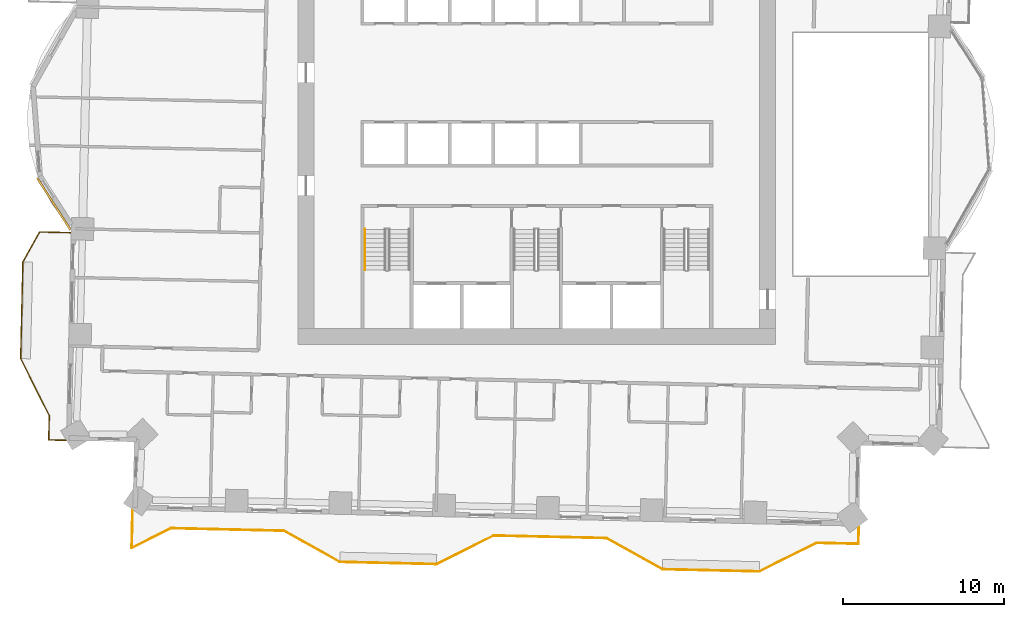
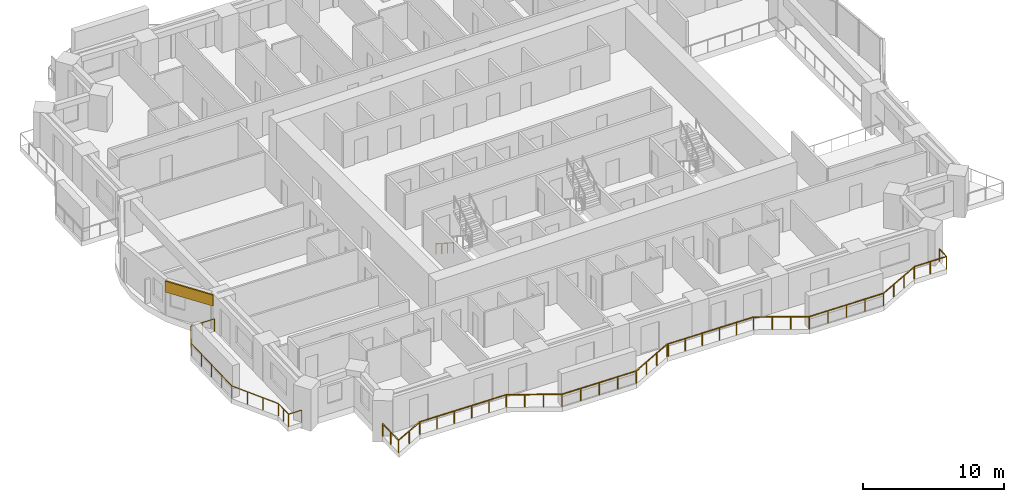
# One storey, part 13 of 16: 3 railings, 1 covering.
"""IFC4 building model written with IfcOpenShell, lengths in metres."""

from ifc_helpers import new_model, si_unit, direction, frame, frame_2d, origin, origin_2d, place, context, subcontext, project, spatial, rectangle, circle, extrude, material, layer, layer_set, type_object, element, save


model = new_model("IFC4")

# Units and contexts
model_context = context("Model", 3, precision=1e-05, world=origin(), true_north=direction((0.0, 1.0)))
body_context = subcontext(model_context, "Body", "Model", "MODEL_VIEW")
ifc_project = project(units=[si_unit("LENGTHUNIT", "METRE"), si_unit("AREAUNIT", "SQUARE_METRE"), si_unit("VOLUMEUNIT", "CUBIC_METRE"), si_unit("PLANEANGLEUNIT", "RADIAN"), si_unit("MASSUNIT", "GRAM", prefix="KILO")], contexts=[model_context])

# Site, building, storey
site_placement = place(None, origin())
site = spatial("IfcSite", under=ifc_project, at=site_placement, CompositionType="ELEMENT")
building_placement = place(site_placement, origin())
building = spatial("IfcBuilding", under=site, at=building_placement, Name="Mangrove Gate Tower", CompositionType="ELEMENT")
storey_placement = place(building_placement, frame((0.0, 0.0, 101.89990234375)))
storey = spatial("IfcBuildingStorey", under=building, at=storey_placement, Name="L25", CompositionType="ELEMENT", Elevation=101.89990234375)

# Railings
ifc_material_1 = material(Name="Stainless steel grade 316 with laminated glass infill", Category="steel")
railing_type_1 = type_object("IfcRailingType", Name="Balcony guard 1100", PredefinedType="GUARDRAIL", material=ifc_material_1)
railing_1_placement = place(storey_placement, frame((-28.89892578125, -4.85791015625, 0.0)))
element("IfcRailing", 1, at=railing_1_placement, inside=storey, type_object=railing_type_1, Name="GUARD L25 W2", PredefinedType="GUARDRAIL", context=body_context, shape_type="SweptSolid", body=[
    extrude(rectangle(XDim=0.048095703125, YDim=0.048095703125, at=origin_2d()), frame((0.0, 0.0, 1.076171875), z_axis=(-0.999737613728, 0.02290641172, 0.0), x_axis=(-0.02290641172, -0.999737613728, 0.0)), (0.0, 0.0, 1.0), 1.91845703125),
    extrude(rectangle(XDim=0.048095703125, YDim=0.048095703125, at=origin_2d()), frame((-1.91796875, 0.0439453125, 1.076171875), z_axis=(-0.487186514768, -0.873297944477, 0.0), x_axis=(0.873297944477, -0.487186514768, 0.0)), (0.0, 0.0, 1.0), 2.120849609375),
    extrude(rectangle(XDim=0.048095703125, YDim=0.048095703125, at=origin_2d()), frame((-2.951171875, -1.80810546875, 1.076171875), z_axis=(-0.022828630714, -0.999739392852, 0.0), x_axis=(0.999739392852, -0.022828630714, 0.0)), (0.0, 0.0, 1.0), 5.99951171875),
    extrude(rectangle(XDim=0.048095703125, YDim=0.048095703125, at=origin_2d()), frame((-3.088134765625, -7.80615234375, 1.076171875), z_axis=(0.447312255532, -0.894377854182, 0.0), x_axis=(0.894377854182, 0.447312255532, 0.0)), (0.0, 0.0, 1.0), 3.959228515625),
    extrude(rectangle(XDim=0.048095703125, YDim=0.048095703125, at=origin_2d()), frame((-1.317138671875, -11.34716796875, 1.076171875), z_axis=(-0.022617910375, -0.999744182344, 0.0), x_axis=(0.999744182344, -0.022617910375, 0.0)), (0.0, 0.0, 1.0), 1.50048828125),
    extrude(rectangle(XDim=0.048095703125, YDim=0.048095703125, at=origin_2d()), frame((-1.35107421875, -12.84716796875, 1.076171875), z_axis=(0.999744919731, -0.022585293253, 0.0), x_axis=(0.022585293253, 0.999744919731, 0.0)), (0.0, 0.0, 1.0), 1.059326171875),
    extrude(rectangle(XDim=0.0419921875, YDim=0.0419921875, at=origin_2d()), origin(), (0.0, 0.0, 1.0), 1.052001953125),
    extrude(rectangle(XDim=0.0419921875, YDim=0.0419921875, at=origin_2d()), frame((-0.958984375, 0.02197265625, 0.0)), (0.0, 0.0, 1.0), 1.052001953125),
    extrude(rectangle(XDim=0.0419921875, YDim=0.0419921875, at=origin_2d()), frame((-1.91796875, 0.0439453125, 0.0)), (0.0, 0.0, 1.0), 1.052001953125),
    extrude(rectangle(XDim=0.0419921875, YDim=0.0419921875, at=origin_2d()), frame((-2.4345703125, -0.882080078125, 0.0)), (0.0, 0.0, 1.0), 1.052001953125),
    extrude(rectangle(XDim=0.0419921875, YDim=0.0419921875, at=origin_2d()), frame((-2.951171875, -1.80810546875, 0.0)), (0.0, 0.0, 1.0), 1.052001953125),
    extrude(rectangle(XDim=0.0419921875, YDim=0.0419921875, at=origin_2d()), frame((-2.9853515625, -3.3076171875, 0.0)), (0.0, 0.0, 1.0), 1.052001953125),
    extrude(rectangle(XDim=0.0419921875, YDim=0.0419921875, at=origin_2d()), frame((-3.01953125, -4.80712890625, 0.0)), (0.0, 0.0, 1.0), 1.052001953125),
    extrude(rectangle(XDim=0.0419921875, YDim=0.0419921875, at=origin_2d()), frame((-3.053955078125, -6.306640625, 0.0)), (0.0, 0.0, 1.0), 1.052001953125),
    extrude(rectangle(XDim=0.0419921875, YDim=0.0419921875, at=origin_2d()), frame((-3.088134765625, -7.80615234375, 0.0)), (0.0, 0.0, 1.0), 1.052001953125),
    extrude(rectangle(XDim=0.0419921875, YDim=0.0419921875, at=origin_2d()), frame((-2.497802734375, -8.986572265625, 0.0)), (0.0, 0.0, 1.0), 1.052001953125),
    extrude(rectangle(XDim=0.0419921875, YDim=0.0419921875, at=origin_2d()), frame((-1.907470703125, -10.166748046875, 0.0)), (0.0, 0.0, 1.0), 1.052001953125),
    extrude(rectangle(XDim=0.0419921875, YDim=0.0419921875, at=origin_2d()), frame((-1.317138671875, -11.34716796875, 0.0)), (0.0, 0.0, 1.0), 1.052001953125),
    extrude(rectangle(XDim=0.0419921875, YDim=0.0419921875, at=origin_2d()), frame((-1.333984375, -12.09716796875, 0.0)), (0.0, 0.0, 1.0), 1.052001953125),
    extrude(rectangle(XDim=0.0419921875, YDim=0.0419921875, at=origin_2d()), frame((-1.35107421875, -12.84716796875, 0.0)), (0.0, 0.0, 1.0), 1.052001953125),
    extrude(rectangle(XDim=0.0419921875, YDim=0.0419921875, at=origin_2d()), frame((-0.2919921875, -12.87109375, 0.0)), (0.0, 0.0, 1.0), 1.052001953125),
])
railing_2_placement = place(storey_placement, frame((-25.048095703125, -22.06396484375, 0.0)))
element("IfcRailing", 2, at=railing_2_placement, inside=storey, type_object=railing_type_1, Name="GUARD L25 S1", PredefinedType="GUARDRAIL", context=body_context, shape_type="SweptSolid", body=[
    extrude(rectangle(XDim=0.048095703125, YDim=0.048095703125, at=origin_2d()), frame((0.0, 0.0, 1.076171875), z_axis=(-0.022730923236, -0.999741619184, 0.0), x_axis=(0.999741619184, -0.022730923236, 0.0)), (0.0, 0.0, 1.0), 2.33056640625),
    extrude(rectangle(XDim=0.048095703125, YDim=0.048095703125, at=origin_2d()), frame((-0.052978515625, -2.330078125, 1.076171875), z_axis=(0.894427191, 0.4472135955, 0.0), x_axis=(-0.4472135955, 0.894427191, 0.0)), (0.0, 0.0, 1.0), 2.71923828125),
    extrude(rectangle(XDim=0.048095703125, YDim=0.048095703125, at=origin_2d()), frame((2.379150390625, -1.114013671875, 1.076171875), z_axis=(0.999742267452, -0.022702393474, 0.0), x_axis=(0.022702393474, 0.999742267452, 0.0)), (0.0, 0.0, 1.0), 7.000732421875),
    extrude(rectangle(XDim=0.048095703125, YDim=0.048095703125, at=origin_2d()), frame((9.378173828125, -1.27294921875, 1.076171875), z_axis=(0.873230657876, -0.487307108654, 0.0), x_axis=(0.487307108654, 0.873230657876, 0.0)), (0.0, 0.0, 1.0), 3.958984375),
    extrude(rectangle(XDim=0.048095703125, YDim=0.048095703125, at=origin_2d()), frame((12.835205078125, -3.2021484375, 1.076171875), z_axis=(0.999743073592, -0.022666865795, 0.0), x_axis=(0.022666865795, 0.999743073592, 0.0)), (0.0, 0.0, 1.0), 5.999267578125),
    extrude(rectangle(XDim=0.048095703125, YDim=0.048095703125, at=origin_2d()), frame((18.8330078125, -3.338134765625, 1.076171875), z_axis=(0.894476522376, 0.447114919141, 0.0), x_axis=(-0.447114919141, 0.894476522376, 0.0)), (0.0, 0.0, 1.0), 3.958740234375),
    extrude(rectangle(XDim=0.048095703125, YDim=0.048095703125, at=origin_2d()), frame((22.3740234375, -1.568115234375, 1.076171875), z_axis=(0.999809691461, -0.019508481785, 0.0), x_axis=(0.019508481785, 0.999809691461, 0.0)), (0.0, 0.0, 1.0), 0.10009765625),
    extrude(rectangle(XDim=0.048095703125, YDim=0.048095703125, at=origin_2d()), frame((22.47412109375, -1.570068359375, 1.076171875), z_axis=(0.999741140915, -0.022751948524, 0.0), x_axis=(0.022751948524, 0.999741140915, 0.0)), (0.0, 0.0, 1.0), 6.899658203125),
    extrude(rectangle(XDim=0.048095703125, YDim=0.048095703125, at=origin_2d()), frame((29.3720703125, -1.72705078125, 1.076171875), z_axis=(0.873315448515, -0.487155136876, 0.0), x_axis=(0.487155136876, 0.873315448515, 0.0)), (0.0, 0.0, 1.0), 3.959716796875),
    extrude(rectangle(XDim=0.048095703125, YDim=0.048095703125, at=origin_2d()), frame((32.830078125, -3.656005859375, 1.076171875), z_axis=(0.999743094499, -0.022665943652, 0.0), x_axis=(0.022665943652, 0.999743094499, 0.0)), (0.0, 0.0, 1.0), 5.99951171875),
    extrude(rectangle(XDim=0.048095703125, YDim=0.048095703125, at=origin_2d()), frame((38.828125, -3.7919921875, 1.076171875), z_axis=(0.894476522376, 0.447114919141, 0.0), x_axis=(-0.447114919141, 0.894476522376, 0.0)), (0.0, 0.0, 1.0), 3.958740234375),
    extrude(rectangle(XDim=0.048095703125, YDim=0.048095703125, at=origin_2d()), frame((42.369140625, -2.02197265625, 1.076171875), z_axis=(0.999742512816, -0.022691585828, 0.0), x_axis=(0.022691585828, 0.999742512816, 0.0)), (0.0, 0.0, 1.0), 2.603759765625),
    extrude(rectangle(XDim=0.048095703125, YDim=0.048095703125, at=origin_2d()), frame((44.97216796875, -2.0810546875, 1.076171875), z_axis=(0.022564497502, 0.999745389313, 0.0), x_axis=(-0.999745389313, 0.022564497502, 0.0)), (0.0, 0.0, 1.0), 1.060302734375),
    extrude(rectangle(XDim=0.0419921875, YDim=0.0419921875, at=origin_2d()), origin(), (0.0, 0.0, 1.0), 1.052001953125),
    extrude(rectangle(XDim=0.0419921875, YDim=0.0419921875, at=origin_2d()), frame((-0.0263671875, -1.1650390625, 0.0)), (0.0, 0.0, 1.0), 1.052001953125),
    extrude(rectangle(XDim=0.0419921875, YDim=0.0419921875, at=origin_2d()), frame((-0.052978515625, -2.330078125, 0.0)), (0.0, 0.0, 1.0), 1.052001953125),
    extrude(rectangle(XDim=0.0419921875, YDim=0.0419921875, at=origin_2d()), frame((1.1630859375, -1.72216796875, 0.0)), (0.0, 0.0, 1.0), 1.052001953125),
    extrude(rectangle(XDim=0.0419921875, YDim=0.0419921875, at=origin_2d()), frame((2.379150390625, -1.114013671875, 0.0)), (0.0, 0.0, 1.0), 1.052001953125),
    extrude(rectangle(XDim=0.0419921875, YDim=0.0419921875, at=origin_2d()), frame((3.779052734375, -1.145751953125, 0.0)), (0.0, 0.0, 1.0), 1.052001953125),
    extrude(rectangle(XDim=0.0419921875, YDim=0.0419921875, at=origin_2d()), frame((5.1787109375, -1.177490234375, 0.0)), (0.0, 0.0, 1.0), 1.052001953125),
    extrude(rectangle(XDim=0.0419921875, YDim=0.0419921875, at=origin_2d()), frame((6.57861328125, -1.20947265625, 0.0)), (0.0, 0.0, 1.0), 1.052001953125),
    extrude(rectangle(XDim=0.0419921875, YDim=0.0419921875, at=origin_2d()), frame((7.978271484375, -1.2412109375, 0.0)), (0.0, 0.0, 1.0), 1.052001953125),
    extrude(rectangle(XDim=0.0419921875, YDim=0.0419921875, at=origin_2d()), frame((9.378173828125, -1.27294921875, 0.0)), (0.0, 0.0, 1.0), 1.052001953125),
    extrude(rectangle(XDim=0.0419921875, YDim=0.0419921875, at=origin_2d()), frame((10.530517578125, -1.916015625, 0.0)), (0.0, 0.0, 1.0), 1.052001953125),
    extrude(rectangle(XDim=0.0419921875, YDim=0.0419921875, at=origin_2d()), frame((11.682861328125, -2.55908203125, 0.0)), (0.0, 0.0, 1.0), 1.052001953125),
    extrude(rectangle(XDim=0.0419921875, YDim=0.0419921875, at=origin_2d()), frame((12.835205078125, -3.2021484375, 0.0)), (0.0, 0.0, 1.0), 1.052001953125),
    extrude(rectangle(XDim=0.0419921875, YDim=0.0419921875, at=origin_2d()), frame((14.334716796875, -3.236083984375, 0.0)), (0.0, 0.0, 1.0), 1.052001953125),
    extrude(rectangle(XDim=0.0419921875, YDim=0.0419921875, at=origin_2d()), frame((15.833984375, -3.27001953125, 0.0)), (0.0, 0.0, 1.0), 1.052001953125),
    extrude(rectangle(XDim=0.0419921875, YDim=0.0419921875, at=origin_2d()), frame((17.33349609375, -3.30419921875, 0.0)), (0.0, 0.0, 1.0), 1.052001953125),
    extrude(rectangle(XDim=0.0419921875, YDim=0.0419921875, at=origin_2d()), frame((18.8330078125, -3.338134765625, 0.0)), (0.0, 0.0, 1.0), 1.052001953125),
    extrude(rectangle(XDim=0.0419921875, YDim=0.0419921875, at=origin_2d()), frame((20.013427734375, -2.748046875, 0.0)), (0.0, 0.0, 1.0), 1.052001953125),
    extrude(rectangle(XDim=0.0419921875, YDim=0.0419921875, at=origin_2d()), frame((21.193603515625, -2.158203125, 0.0)), (0.0, 0.0, 1.0), 1.052001953125),
    extrude(rectangle(XDim=0.0419921875, YDim=0.0419921875, at=origin_2d()), frame((22.3740234375, -1.568115234375, 0.0)), (0.0, 0.0, 1.0), 1.052001953125),
    extrude(rectangle(XDim=0.0419921875, YDim=0.0419921875, at=origin_2d()), frame((22.47412109375, -1.570068359375, 0.0)), (0.0, 0.0, 1.0), 1.052001953125),
    extrude(rectangle(XDim=0.0419921875, YDim=0.0419921875, at=origin_2d()), frame((23.853759765625, -1.6015625, 0.0)), (0.0, 0.0, 1.0), 1.052001953125),
    extrude(rectangle(XDim=0.0419921875, YDim=0.0419921875, at=origin_2d()), frame((25.2333984375, -1.6328125, 0.0)), (0.0, 0.0, 1.0), 1.052001953125),
    extrude(rectangle(XDim=0.0419921875, YDim=0.0419921875, at=origin_2d()), frame((26.61279296875, -1.664306640625, 0.0)), (0.0, 0.0, 1.0), 1.052001953125),
    extrude(rectangle(XDim=0.0419921875, YDim=0.0419921875, at=origin_2d()), frame((27.992431640625, -1.695556640625, 0.0)), (0.0, 0.0, 1.0), 1.052001953125),
    extrude(rectangle(XDim=0.0419921875, YDim=0.0419921875, at=origin_2d()), frame((29.3720703125, -1.72705078125, 0.0)), (0.0, 0.0, 1.0), 1.052001953125),
    extrude(rectangle(XDim=0.0419921875, YDim=0.0419921875, at=origin_2d()), frame((30.524658203125, -2.3701171875, 0.0)), (0.0, 0.0, 1.0), 1.052001953125),
    extrude(rectangle(XDim=0.0419921875, YDim=0.0419921875, at=origin_2d()), frame((31.677490234375, -3.012939453125, 0.0)), (0.0, 0.0, 1.0), 1.052001953125),
    extrude(rectangle(XDim=0.0419921875, YDim=0.0419921875, at=origin_2d()), frame((32.830078125, -3.656005859375, 0.0)), (0.0, 0.0, 1.0), 1.052001953125),
    extrude(rectangle(XDim=0.0419921875, YDim=0.0419921875, at=origin_2d()), frame((34.32958984375, -3.68994140625, 0.0)), (0.0, 0.0, 1.0), 1.052001953125),
    extrude(rectangle(XDim=0.0419921875, YDim=0.0419921875, at=origin_2d()), frame((35.8291015625, -3.72412109375, 0.0)), (0.0, 0.0, 1.0), 1.052001953125),
    extrude(rectangle(XDim=0.0419921875, YDim=0.0419921875, at=origin_2d()), frame((37.32861328125, -3.758056640625, 0.0)), (0.0, 0.0, 1.0), 1.052001953125),
    extrude(rectangle(XDim=0.0419921875, YDim=0.0419921875, at=origin_2d()), frame((38.828125, -3.7919921875, 0.0)), (0.0, 0.0, 1.0), 1.052001953125),
    extrude(rectangle(XDim=0.0419921875, YDim=0.0419921875, at=origin_2d()), frame((40.008544921875, -3.201904296875, 0.0)), (0.0, 0.0, 1.0), 1.052001953125),
    extrude(rectangle(XDim=0.0419921875, YDim=0.0419921875, at=origin_2d()), frame((41.188720703125, -2.612060546875, 0.0)), (0.0, 0.0, 1.0), 1.052001953125),
    extrude(rectangle(XDim=0.0419921875, YDim=0.0419921875, at=origin_2d()), frame((42.369140625, -2.02197265625, 0.0)), (0.0, 0.0, 1.0), 1.052001953125),
    extrude(rectangle(XDim=0.0419921875, YDim=0.0419921875, at=origin_2d()), frame((43.670654296875, -2.051513671875, 0.0)), (0.0, 0.0, 1.0), 1.052001953125),
    extrude(rectangle(XDim=0.0419921875, YDim=0.0419921875, at=origin_2d()), frame((44.97216796875, -2.0810546875, 0.0)), (0.0, 0.0, 1.0), 1.052001953125),
    extrude(rectangle(XDim=0.0419921875, YDim=0.0419921875, at=origin_2d()), frame((44.99609375, -1.02099609375, 0.0)), (0.0, 0.0, 1.0), 1.052001953125),
])
ifc_material_2 = material(Name="Stainless steel 316", Category="steel")
railing_type_2 = type_object("IfcRailingType", Name="Core stair handrail 900", PredefinedType="HANDRAIL", material=ifc_material_2)
railing_3_placement = place(storey_placement, frame((-10.64990234375, -4.64990234375, 0.18017578125)))
element("IfcRailing", 3, at=railing_3_placement, inside=storey, type_object=railing_type_2, Name="L25 ST1 stair handrail 1", PredefinedType="HANDRAIL", context=body_context, shape_type="SweptSolid", body=[
    extrude(circle(Radius=0.02392578125, at=origin_2d()), frame((0.0, 0.0, 0.8759765625), z_axis=(0.0, -0.841199657755, 0.540724639528), x_axis=(1.0, 0.0, 0.0)), (0.0, 0.0, 1.0), 2.995849609375),
    extrude(circle(Radius=0.02099609375, at=origin_2d()), origin(), (0.0, 0.0, 1.0), 0.851806640625),
    extrude(circle(Radius=0.02099609375, at=origin_2d()), frame((0.0, -0.840087890625, 0.5400390625)), (0.0, 0.0, 1.0), 0.851806640625),
    extrude(circle(Radius=0.02099609375, at=origin_2d()), frame((0.0, -1.679931640625, 1.079833984375)), (0.0, 0.0, 1.0), 0.851806640625),
    extrude(circle(Radius=0.02099609375, at=origin_2d()), frame((0.0, -2.52001953125, 1.619873046875)), (0.0, 0.0, 1.0), 0.851806640625),
])

# Covering
ifc_material_3 = material(Name="Limestone", Category="masonry")
ifc_layer_1 = layer(ifc_material_3, 0.0400390625, Name="Limestone cladding")
ifc_material_4 = material(Name="Stainless steel anchors and cavity", Category="steel")
ifc_layer_2 = layer(ifc_material_4, 0.080078125, Name="Fixing cavity")
ifc_layer_set = layer_set([ifc_layer_1, ifc_layer_2], Name="Joint fascia cladding 120")
covering_type = type_object("IfcCoveringType", Name="Joint fascia cladding 120", PredefinedType="CLADDING", material=ifc_layer_set)
covering_placement = place(storey_placement, frame((-30.962890625, -1.47412109375, 2.10009765625), z_axis=(0.0, 0.0, 1.0), x_axis=(0.540486138148, -0.841352919095, 0.0)))
element("IfcCovering", 4, at=covering_placement, inside=storey, type_object=covering_type, Name="STONE FASCIA L25 W9.L2", PredefinedType="CLADDING", context=body_context, shape_type="SweptSolid", body=[
    extrude(rectangle(XDim=3.818603515625, YDim=0.1201171875, at=frame_2d((1.9091796875, 0.0))), origin(), (0.0, 0.0, 1.0), 0.949951171875),
])

save(model, "model.ifc")
